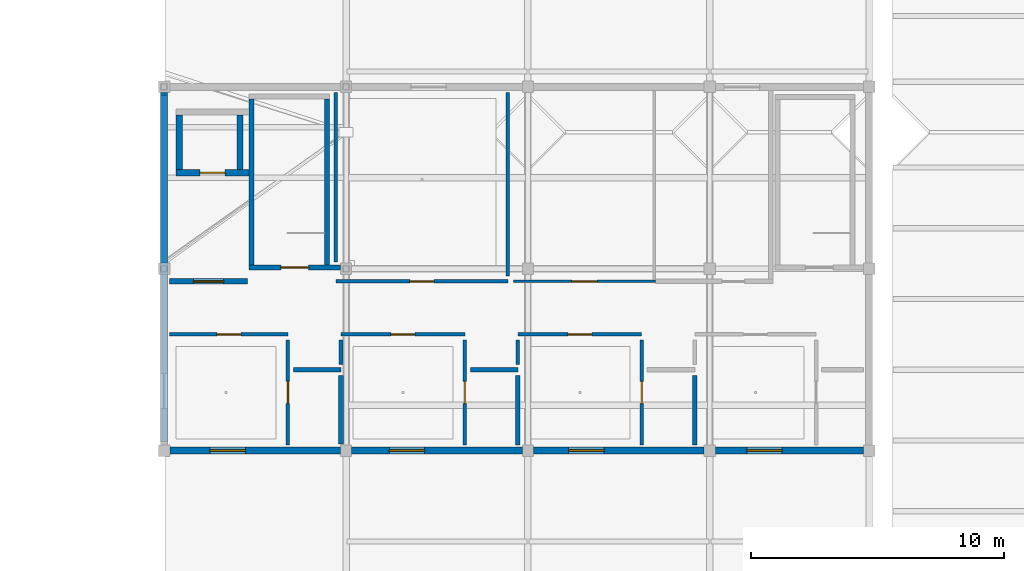
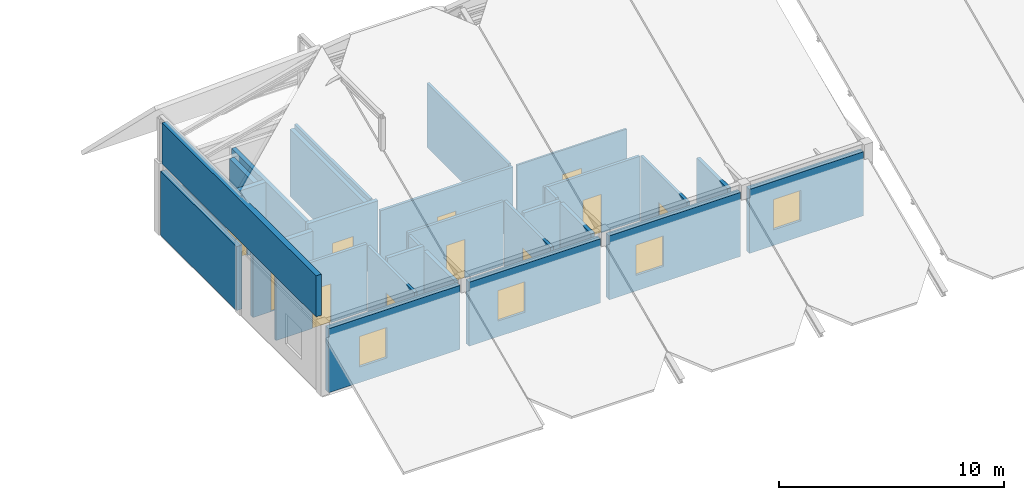
# One storey, part 38 of 54: 30 walls, 11 doors, 4 windows, 15 openings.
"""IFC4 building model written with IfcOpenShell, lengths in metres."""

from ifc_helpers import new_model, si_unit, direction, frame, frame_2d, origin, place, context, subcontext, project, spatial, rectangle, extrude, material, layer, layer_set, type_object, element, fill, save


model = new_model("IFC4")

# Units and contexts
model_context = context("Model", 3, precision=1e-05, world=origin(), true_north=direction((0.0, 1.0)))
body_context = subcontext(model_context, "Body", "Model", "MODEL_VIEW")
ifc_project = project(units=[si_unit("LENGTHUNIT", "METRE"), si_unit("AREAUNIT", "SQUARE_METRE"), si_unit("VOLUMEUNIT", "CUBIC_METRE"), si_unit("PLANEANGLEUNIT", "RADIAN"), si_unit("MASSUNIT", "GRAM", prefix="KILO")], contexts=[model_context])

# Site, building, storey
site_placement = place(None, origin())
site = spatial("IfcSite", under=ifc_project, at=site_placement, CompositionType="ELEMENT")
building_placement = place(site_placement, origin())
building = spatial("IfcBuilding", under=site, at=building_placement, Name="Koriwan Promenade Central Fire Station", CompositionType="ELEMENT")
storey_placement = place(building_placement, frame((0.0, 0.0, 9.60009765625)))
storey = spatial("IfcBuildingStorey", under=building, at=storey_placement, Name="L02", CompositionType="ELEMENT", Elevation=9.60009765625)

# Wall
ifc_material_1 = material(Name="Precast concrete C40/50", Category="concrete")
ifc_layer_1 = layer(ifc_material_1, 0.280029296875, Name="Precast concrete C40/50")
ifc_layer_set_1 = layer_set([ifc_layer_1], Name="Precast concrete C40/50")
wall_type_1 = type_object("IfcWallType", Name="ExtWall_Terracotta_280", PredefinedType="ELEMENTEDWALL", material=ifc_layer_set_1)
wall_1_placement = place(storey_placement, frame((28.800048828125, 64.574951171875, 0.0), z_axis=(0.0, 0.0, 1.0), x_axis=(0.0, -1.0, 0.0)))
element("IfcWall", 1, at=wall_1_placement, inside=storey, type_object=wall_type_1, Name="V4 L02 exterior wall 199", PredefinedType="ELEMENTEDWALL", context=body_context, shape_type="SweptSolid", body=[
    extrude(rectangle(XDim=6.75, YDim=0.280029296875, at=frame_2d((3.375, 0.0))), origin(), (0.0, 0.0, 1.0), 3.472900390625),
])

# Wall, opening, window
wall_2_placement = place(storey_placement, frame((29.02490234375, 50.39990234375, 0.0), z_axis=(0.0, 0.0, 1.0), x_axis=(1.0, 0.0, 0.0)))
wall_2 = element("IfcWall", 2, at=wall_2_placement, inside=storey, type_object=wall_type_1, Name="V4 L02 exterior wall 201", PredefinedType="ELEMENTEDWALL", context=body_context, shape_type="SweptSolid", body=[
    extrude(rectangle(XDim=6.75, YDim=0.280029296875, at=frame_2d((3.375, 0.0))), origin(), (0.0, 0.0, 1.0), 3.474853515625),
])
opening_1_placement = place(wall_2_placement, frame((1.58740234375, 0.0, 0.85009765625)))
opening_1 = element("IfcOpeningElement", 3, at=opening_1_placement, cuts=wall_2, Name="Opening W-07", PredefinedType="OPENING", context=body_context, shape_type="SweptSolid", body=[
    extrude(rectangle(XDim=1.39990234375, YDim=1.64990234375, at=frame_2d((0.699951171875, 0.824951171875))), frame((0.0, 0.15185546875, 0.0), z_axis=(0.0, -1.0, 0.0), x_axis=(1.0, 0.0, 0.0)), (0.0, 0.0, 1.0), 0.303955078125),
])
ifc_material_2 = material(Name="Solar-control low-E laminated double glazing", Category="glass")
window_type = type_object("IfcWindowType", Name="Win_Dorm_1400x1650", PartitioningType="SINGLE_PANEL", PredefinedType="WINDOW", material=ifc_material_2)
window_1_placement = place(opening_1_placement, origin())
window_1 = element("IfcWindow", 4, at=window_1_placement, inside=storey, type_object=window_type, Name="V4 L02 dormitory window 0080", OverallHeight=1.64990234375, OverallWidth=1.39990234375, PartitioningType="SINGLE_PANEL", PredefinedType="WINDOW", context=body_context, shape_type="SweptSolid", body=[
    extrude(rectangle(XDim=1.39990234375, YDim=1.64990234375, at=frame_2d((0.699951171875, 0.824951171875))), frame((0.0, 0.030029296875, 0.0), z_axis=(0.0, -1.0, 0.0), x_axis=(1.0, 0.0, 0.0)), (0.0, 0.0, 1.0), 0.06005859375),
])
fill(opening_1, window_1)

wall_3_placement = place(storey_placement, frame((36.22509765625, 50.39990234375, 0.0), z_axis=(0.0, 0.0, 1.0), x_axis=(1.0, 0.0, 0.0)))
wall_3 = element("IfcWall", 5, at=wall_3_placement, inside=storey, type_object=wall_type_1, Name="V4 L02 exterior wall 202", PredefinedType="ELEMENTEDWALL", context=body_context, shape_type="SweptSolid", body=[
    extrude(rectangle(XDim=6.75, YDim=0.280029296875, at=frame_2d((3.375, 0.0))), origin(), (0.0, 0.0, 1.0), 3.474853515625),
])
opening_2_placement = place(wall_3_placement, frame((1.487548828125, 0.0, 0.85009765625)))
opening_2 = element("IfcOpeningElement", 6, at=opening_2_placement, cuts=wall_3, Name="Opening W-07", PredefinedType="OPENING", context=body_context, shape_type="SweptSolid", body=[
    extrude(rectangle(XDim=1.39990234375, YDim=1.64990234375, at=frame_2d((0.699951171875, 0.824951171875))), frame((0.0, 0.15185546875, 0.0), z_axis=(0.0, -1.0, 0.0), x_axis=(1.0, 0.0, 0.0)), (0.0, 0.0, 1.0), 0.303955078125),
])
window_2_placement = place(opening_2_placement, origin())
window_2 = element("IfcWindow", 7, at=window_2_placement, inside=storey, type_object=window_type, Name="V4 L02 dormitory window 0081", OverallHeight=1.64990234375, OverallWidth=1.39990234375, PartitioningType="SINGLE_PANEL", PredefinedType="WINDOW", context=body_context, shape_type="SweptSolid", body=[
    extrude(rectangle(XDim=1.39990234375, YDim=1.64990234375, at=frame_2d((0.699951171875, 0.824951171875))), frame((0.0, 0.030029296875, 0.0), z_axis=(0.0, -1.0, 0.0), x_axis=(1.0, 0.0, 0.0)), (0.0, 0.0, 1.0), 0.06005859375),
])
fill(opening_2, window_2)

wall_4_placement = place(storey_placement, frame((43.425048828125, 50.39990234375, 0.0), z_axis=(0.0, 0.0, 1.0), x_axis=(1.0, 0.0, 0.0)))
wall_4 = element("IfcWall", 8, at=wall_4_placement, inside=storey, type_object=wall_type_1, Name="V4 L02 exterior wall 203", PredefinedType="ELEMENTEDWALL", context=body_context, shape_type="SweptSolid", body=[
    extrude(rectangle(XDim=6.75, YDim=0.280029296875, at=frame_2d((3.375, 0.0))), origin(), (0.0, 0.0, 1.0), 3.474853515625),
])
opening_3_placement = place(wall_4_placement, frame((1.387451171875, 0.0, 0.85009765625)))
opening_3 = element("IfcOpeningElement", 9, at=opening_3_placement, cuts=wall_4, Name="Opening W-07", PredefinedType="OPENING", context=body_context, shape_type="SweptSolid", body=[
    extrude(rectangle(XDim=1.39990234375, YDim=1.64990234375, at=frame_2d((0.699951171875, 0.824951171875))), frame((0.0, 0.15185546875, 0.0), z_axis=(0.0, -1.0, 0.0), x_axis=(1.0, 0.0, 0.0)), (0.0, 0.0, 1.0), 0.303955078125),
])
window_3_placement = place(opening_3_placement, origin())
window_3 = element("IfcWindow", 10, at=window_3_placement, inside=storey, type_object=window_type, Name="V4 L02 dormitory window 0082", OverallHeight=1.64990234375, OverallWidth=1.39990234375, PartitioningType="SINGLE_PANEL", PredefinedType="WINDOW", context=body_context, shape_type="SweptSolid", body=[
    extrude(rectangle(XDim=1.39990234375, YDim=1.64990234375, at=frame_2d((0.699951171875, 0.824951171875))), frame((0.0, 0.030029296875, 0.0), z_axis=(0.0, -1.0, 0.0), x_axis=(1.0, 0.0, 0.0)), (0.0, 0.0, 1.0), 0.06005859375),
])
fill(opening_3, window_3)

wall_5_placement = place(storey_placement, frame((50.625, 50.39990234375, 0.0), z_axis=(0.0, 0.0, 1.0), x_axis=(1.0, 0.0, 0.0)))
wall_5 = element("IfcWall", 11, at=wall_5_placement, inside=storey, type_object=wall_type_1, Name="V4 L02 exterior wall 204", PredefinedType="ELEMENTEDWALL", context=body_context, shape_type="SweptSolid", body=[
    extrude(rectangle(XDim=5.85009765625, YDim=0.280029296875, at=frame_2d((2.925048828125, 0.0))), origin(), (0.0, 0.0, 1.0), 3.474853515625),
])
opening_4_placement = place(wall_5_placement, frame((1.237548828125, 0.0, 0.85009765625)))
opening_4 = element("IfcOpeningElement", 12, at=opening_4_placement, cuts=wall_5, Name="Opening W-07", PredefinedType="OPENING", context=body_context, shape_type="SweptSolid", body=[
    extrude(rectangle(XDim=1.39990234375, YDim=1.64990234375, at=frame_2d((0.699951171875, 0.824951171875))), frame((0.0, 0.15185546875, 0.0), z_axis=(0.0, -1.0, 0.0), x_axis=(1.0, 0.0, 0.0)), (0.0, 0.0, 1.0), 0.303955078125),
])
window_4_placement = place(opening_4_placement, origin())
window_4 = element("IfcWindow", 13, at=window_4_placement, inside=storey, type_object=window_type, Name="V4 L02 dormitory window 0083", OverallHeight=1.64990234375, OverallWidth=1.39990234375, PartitioningType="SINGLE_PANEL", PredefinedType="WINDOW", context=body_context, shape_type="SweptSolid", body=[
    extrude(rectangle(XDim=1.39990234375, YDim=1.64990234375, at=frame_2d((0.699951171875, 0.824951171875))), frame((0.0, 0.030029296875, 0.0), z_axis=(0.0, -1.0, 0.0), x_axis=(1.0, 0.0, 0.0)), (0.0, 0.0, 1.0), 0.06005859375),
])
fill(opening_4, window_4)

# Wall
wall_6_placement = place(storey_placement, frame((28.800048828125, 50.75, 3.949951171875), z_axis=(0.0, 0.0, 1.0), x_axis=(0.0, 1.0, 0.0)))
element("IfcWall", 14, at=wall_6_placement, inside=storey, type_object=wall_type_1, Name="V4 west chamfered gable terracotta wall", PredefinedType="ELEMENTEDWALL", context=body_context, shape_type="SweptSolid", body=[
    extrude(rectangle(XDim=13.699951171875, YDim=0.280029296875, at=frame_2d((6.85009765625, 0.0))), origin(), (0.0, 0.0, 1.0), 2.229736328125),
])

# Wall, opening, door
ifc_material_3 = material(Name="Gypsum board acoustic stud partition", Category="gypsum")
ifc_layer_2 = layer(ifc_material_3, 0.10009765625, Name="Gypsum board acoustic stud partition")
ifc_layer_set_2 = layer_set([ifc_layer_2], Name="Gypsum board acoustic stud partition")
wall_type_2 = type_object("IfcWallType", Name="IntWall_Drywall_100", PredefinedType="PARTITIONING", material=ifc_layer_set_2)
wall_7_placement = place(storey_placement, frame((42.6201171875, 57.10009765625, 0.0), z_axis=(0.0, 0.0, 1.0), x_axis=(1.0, 0.0, 0.0)))
wall_7 = element("IfcWall", 15, at=wall_7_placement, inside=storey, type_object=wall_type_2, Name="Crew Quiet Study and Training Library partition S", PredefinedType="PARTITIONING", context=body_context, shape_type="SweptSolid", body=[
    extrude(rectangle(XDim=5.6298828125, YDim=0.10009765625, at=frame_2d((2.81494140625, 0.0))), origin(), (0.0, 0.0, 1.0), 3.470947265625),
])
opening_5_placement = place(wall_7_placement, frame((2.31494140625, 0.0, 0.0)))
opening_5 = element("IfcOpeningElement", 16, at=opening_5_placement, cuts=wall_7, Name="Opening D-110", PredefinedType="OPENING", context=body_context, shape_type="SweptSolid", body=[
    extrude(rectangle(XDim=1.0, YDim=2.14990234375, at=frame_2d((0.5, 1.074951171875))), frame((0.0, 0.06201171875, 0.0), z_axis=(0.0, -1.0, 0.0), x_axis=(1.0, 0.0, 0.0)), (0.0, 0.0, 1.0), 0.1240234375),
])
ifc_material_4 = material(Name="Hardwood veneer solid-core timber", Category="wood")
door_type_1 = type_object("IfcDoorType", Name="RoomDoor_Office_1000x2150", OperationType="NOTDEFINED", PredefinedType="DOOR", material=ifc_material_4)
door_1_placement = place(opening_5_placement, origin())
door_1 = element("IfcDoor", 17, at=door_1_placement, inside=storey, type_object=door_type_1, Name="Crew Quiet Study and Training Library Door D-110", OperationType="SINGLE_SWING_LEFT", OverallHeight=2.14990234375, OverallWidth=1.0, PredefinedType="DOOR", context=body_context, shape_type="SweptSolid", body=[
    extrude(rectangle(XDim=1.0, YDim=2.14990234375, at=frame_2d((0.5, 1.074951171875))), frame((0.0, 0.02490234375, 0.0), z_axis=(0.0, -1.0, 0.0), x_axis=(1.0, 0.0, 0.0)), (0.0, 0.0, 1.0), 0.050048828125),
])
fill(opening_5, door_1)

ifc_material_5 = material(Name="Concrete C35/45 compartment wall", Category="concrete")
ifc_layer_3 = layer(ifc_material_5, 0.219970703125, Name="Concrete C35/45 compartment wall")
ifc_layer_set_3 = layer_set([ifc_layer_3], Name="Concrete C35/45 compartment wall")
wall_type_3 = type_object("IfcWallType", Name="IntWall_Plant_220", PredefinedType="STANDARD", material=ifc_layer_set_3)
wall_8_placement = place(storey_placement, frame((29.02001953125, 57.10009765625, 0.0), z_axis=(0.0, 0.0, 1.0), x_axis=(1.0, 0.0, 0.0)))
wall_8 = element("IfcWall", 18, at=wall_8_placement, inside=storey, type_object=wall_type_3, Name="Crew Wing Lift Lobby L02 partition S", PredefinedType="STANDARD", context=body_context, shape_type="SweptSolid", body=[
    extrude(rectangle(XDim=3.080078125, YDim=0.219970703125, at=frame_2d((1.5400390625, 0.0))), origin(), (0.0, 0.0, 1.0), 3.619873046875),
])
opening_6_placement = place(wall_8_placement, frame((0.93994140625, 0.0, 0.0)))
opening_6 = element("IfcOpeningElement", 19, at=opening_6_placement, cuts=wall_8, Name="Opening D-100", PredefinedType="OPENING", context=body_context, shape_type="SweptSolid", body=[
    extrude(rectangle(XDim=1.199951171875, YDim=2.199951171875, at=frame_2d((0.60009765625, 1.10009765625))), frame((0.0, 0.1220703125, 0.0), z_axis=(0.0, -1.0, 0.0), x_axis=(1.0, 0.0, 0.0)), (0.0, 0.0, 1.0), 0.243896484375),
])
ifc_material_6 = material(Name="Painted galvanized fire-door steel", Category="steel")
door_type_2 = type_object("IfcDoorType", Name="FireDoor_Lobby_1200x2200", OperationType="NOTDEFINED", PredefinedType="DOOR", material=ifc_material_6)
door_2_placement = place(opening_6_placement, origin())
door_2 = element("IfcDoor", 20, at=door_2_placement, inside=storey, type_object=door_type_2, Name="Crew Wing Lift Lobby L02 Door D-100", OperationType="SINGLE_SWING_LEFT", OverallHeight=2.199951171875, OverallWidth=1.199951171875, PredefinedType="DOOR", context=body_context, shape_type="SweptSolid", body=[
    extrude(rectangle(XDim=1.199951171875, YDim=2.199951171875, at=frame_2d((0.60009765625, 1.10009765625))), frame((0.0, 0.02490234375, 0.0), z_axis=(0.0, -1.0, 0.0), x_axis=(1.0, 0.0, 0.0)), (0.0, 0.0, 1.0), 0.050048828125),
])
fill(opening_6, door_2)

# Walls
ifc_material_7 = material(Name="Moisture-resistant sanitary chase wall", Category="gypsum")
ifc_layer_4 = layer(ifc_material_7, 0.179931640625, Name="Moisture-resistant sanitary chase wall")
ifc_layer_set_4 = layer_set([ifc_layer_4], Name="Moisture-resistant sanitary chase wall")
wall_type_4 = type_object("IfcWallType", Name="IntWall_Plumbing_180", PredefinedType="PLUMBINGWALL", material=ifc_layer_set_4)
wall_9_placement = place(storey_placement, frame((33.919921875, 53.60009765625, 0.0), z_axis=(0.0, 0.0, 1.0), x_axis=(1.0, 0.0, 0.0)))
element("IfcWall", 21, at=wall_9_placement, inside=storey, type_object=wall_type_4, Name="En-Suite Bathroom A1 partition N", PredefinedType="PLUMBINGWALL", context=body_context, shape_type="SweptSolid", body=[
    extrude(rectangle(XDim=1.880126953125, YDim=0.179931640625, at=frame_2d((0.93994140625, 0.0))), origin(), (0.0, 0.0, 1.0), 3.619873046875),
])
wall_10_placement = place(storey_placement, frame((35.800048828125, 50.6650390625, 0.0), z_axis=(0.0, 0.0, 1.0), x_axis=(0.0, 1.0, 0.0)))
element("IfcWall", 22, at=wall_10_placement, inside=storey, type_object=wall_type_4, Name="En-Suite Bathroom A1 partition E", PredefinedType="PLUMBINGWALL", context=body_context, shape_type="SweptSolid", body=[
    extrude(rectangle(XDim=2.71484375, YDim=0.179931640625, at=frame_2d((1.357421875, 0.0))), origin(), (0.0, 0.0, 1.0), 3.470947265625),
])
wall_11_placement = place(storey_placement, frame((40.919921875, 53.60009765625, 0.0), z_axis=(0.0, 0.0, 1.0), x_axis=(1.0, 0.0, 0.0)))
element("IfcWall", 23, at=wall_11_placement, inside=storey, type_object=wall_type_4, Name="En-Suite Bathroom A2 partition N", PredefinedType="PLUMBINGWALL", context=body_context, shape_type="SweptSolid", body=[
    extrude(rectangle(XDim=1.880126953125, YDim=0.179931640625, at=frame_2d((0.93994140625, 0.0))), origin(), (0.0, 0.0, 1.0), 3.619873046875),
])
for number, where, z_axis, x_axis, name in (
    (24, (42.800048828125, 50.6201171875, 0.0), (0.0, 0.0, 1.0), (0.0, 1.0, 0.0), "En-Suite Bathroom A2 partition E"),
    (25, (49.800048828125, 50.6201171875, 0.0), (0.0, 0.0, 1.0), (0.0, 1.0, 0.0), "En-Suite Bathroom A3 partition E"),
):
    element("IfcWall", number, at=place(storey_placement, frame(where, z_axis=z_axis, x_axis=x_axis)), inside=storey, type_object=wall_type_4, Name=name, PredefinedType="PLUMBINGWALL", context=body_context, shape_type="SweptSolid", body=[
        extrude(rectangle(XDim=2.759765625, YDim=0.179931640625, at=frame_2d((1.3798828125, 0.0))), origin(), (0.0, 0.0, 1.0), 3.619873046875),
    ])

# Wall, opening, door
ifc_material_8 = material(Name="Fire-rated double gypsum stud partition", Category="gypsum")
ifc_layer_5 = layer(ifc_material_8, 0.139892578125, Name="Fire-rated double gypsum stud partition")
ifc_layer_set_5 = layer_set([ifc_layer_5], Name="Fire-rated double gypsum stud partition")
wall_type_5 = type_object("IfcWallType", Name="IntWall_Rated_140", PredefinedType="PARTITIONING", material=ifc_layer_set_5)
wall_12_placement = place(storey_placement, frame((29.02001953125, 55.0, 0.0), z_axis=(0.0, 0.0, 1.0), x_axis=(1.0, 0.0, 0.0)))
wall_12 = element("IfcWall", 26, at=wall_12_placement, inside=storey, type_object=wall_type_5, Name="Crew Dormitory Suite A1 partition N", PredefinedType="PARTITIONING", context=body_context, shape_type="SweptSolid", body=[
    extrude(rectangle(XDim=4.679931640625, YDim=0.139892578125, at=frame_2d((2.33984375, 0.0))), origin(), (0.0, 0.0, 1.0), 3.619873046875),
])
opening_7_placement = place(wall_12_placement, frame((1.864990234375, 0.0, 0.0)))
opening_7 = element("IfcOpeningElement", 27, at=opening_7_placement, cuts=wall_12, Name="Opening D-101", PredefinedType="OPENING", context=body_context, shape_type="SweptSolid", body=[
    extrude(rectangle(XDim=0.949951171875, YDim=2.10009765625, at=frame_2d((0.47509765625, 1.050048828125))), frame((0.0, 0.08203125, 0.0), z_axis=(0.0, -1.0, 0.0), x_axis=(1.0, 0.0, 0.0)), (0.0, 0.0, 1.0), 0.163818359375),
])
door_type_3 = type_object("IfcDoorType", Name="RoomDoor_Dorm_950x2100", OperationType="NOTDEFINED", PredefinedType="DOOR", material=ifc_material_4)
door_3_placement = place(opening_7_placement, origin())
door_3 = element("IfcDoor", 28, at=door_3_placement, inside=storey, type_object=door_type_3, Name="Crew Dormitory Suite A1 Door D-101", OperationType="SINGLE_SWING_RIGHT", OverallHeight=2.10009765625, OverallWidth=0.949951171875, PredefinedType="DOOR", context=body_context, shape_type="SweptSolid", body=[
    extrude(rectangle(XDim=0.949951171875, YDim=2.10009765625, at=frame_2d((0.47509765625, 1.050048828125))), frame((0.0, 0.02490234375, 0.0), z_axis=(0.0, -1.0, 0.0), x_axis=(1.0, 0.0, 0.0)), (0.0, 0.0, 1.0), 0.050048828125),
])
fill(opening_7, door_3)

wall_13_placement = place(storey_placement, frame((33.699951171875, 50.6201171875, 0.0), z_axis=(0.0, 0.0, 1.0), x_axis=(0.0, 1.0, 0.0)))
wall_13 = element("IfcWall", 29, at=wall_13_placement, inside=storey, type_object=wall_type_5, Name="Crew Dormitory Suite A1 partition E", PredefinedType="PARTITIONING", context=body_context, shape_type="SweptSolid", body=[
    extrude(rectangle(XDim=4.159912109375, YDim=0.139892578125, at=frame_2d((2.080078125, 0.0))), origin(), (0.0, 0.0, 1.0), 3.619873046875),
])
opening_8_placement = place(wall_13_placement, frame((1.639892578125, 0.0, 0.0)))
opening_8 = element("IfcOpeningElement", 30, at=opening_8_placement, cuts=wall_13, Name="Opening D-102", PredefinedType="OPENING", context=body_context, shape_type="SweptSolid", body=[
    extrude(rectangle(XDim=0.8798828125, YDim=2.080078125, at=frame_2d((0.43994140625, 1.0400390625))), frame((0.0, 0.08203125, 0.0), z_axis=(0.0, -1.0, 0.0), x_axis=(1.0, 0.0, 0.0)), (0.0, 0.0, 1.0), 0.163818359375),
])
ifc_material_9 = material(Name="High-pressure laminate moisture-resistant core", Category="wood")
door_type_4 = type_object("IfcDoorType", Name="RoomDoor_Ensuite_880x2080", OperationType="NOTDEFINED", PredefinedType="DOOR", material=ifc_material_9)
door_4_placement = place(opening_8_placement, origin())
door_4 = element("IfcDoor", 31, at=door_4_placement, inside=storey, type_object=door_type_4, Name="En-Suite Bathroom A1 Door D-102", OperationType="SINGLE_SWING_LEFT", OverallHeight=2.080078125, OverallWidth=0.8798828125, PredefinedType="DOOR", context=body_context, shape_type="SweptSolid", body=[
    extrude(rectangle(XDim=0.8798828125, YDim=2.080078125, at=frame_2d((0.43994140625, 1.0400390625))), frame((0.0, 0.02490234375, 0.0), z_axis=(0.0, -1.0, 0.0), x_axis=(1.0, 0.0, 0.0)), (0.0, 0.0, 1.0), 0.050048828125),
])
fill(opening_8, door_4)

wall_14_placement = place(storey_placement, frame((35.800048828125, 55.0, 0.0), z_axis=(0.0, 0.0, 1.0), x_axis=(1.0, 0.0, 0.0)))
wall_14 = element("IfcWall", 32, at=wall_14_placement, inside=storey, type_object=wall_type_5, Name="Crew Dormitory Suite A2 partition N", PredefinedType="PARTITIONING", context=body_context, shape_type="SweptSolid", body=[
    extrude(rectangle(XDim=4.89990234375, YDim=0.139892578125, at=frame_2d((2.449951171875, 0.0))), origin(), (0.0, 0.0, 1.0), 3.470947265625),
])
opening_9_placement = place(wall_14_placement, frame((1.97509765625, 0.0, 0.0)))
opening_9 = element("IfcOpeningElement", 33, at=opening_9_placement, cuts=wall_14, Name="Opening D-103", PredefinedType="OPENING", context=body_context, shape_type="SweptSolid", body=[
    extrude(rectangle(XDim=0.949951171875, YDim=2.10009765625, at=frame_2d((0.47509765625, 1.050048828125))), frame((0.0, 0.08203125, 0.0), z_axis=(0.0, -1.0, 0.0), x_axis=(1.0, 0.0, 0.0)), (0.0, 0.0, 1.0), 0.163818359375),
])
door_5_placement = place(opening_9_placement, origin())
door_5 = element("IfcDoor", 34, at=door_5_placement, inside=storey, type_object=door_type_3, Name="Crew Dormitory Suite A2 Door D-103", OperationType="SINGLE_SWING_RIGHT", OverallHeight=2.10009765625, OverallWidth=0.949951171875, PredefinedType="DOOR", context=body_context, shape_type="SweptSolid", body=[
    extrude(rectangle(XDim=0.949951171875, YDim=2.10009765625, at=frame_2d((0.47509765625, 1.050048828125))), frame((0.0, 0.02490234375, 0.0), z_axis=(0.0, -1.0, 0.0), x_axis=(1.0, 0.0, 0.0)), (0.0, 0.0, 1.0), 0.050048828125),
])
fill(opening_9, door_5)

wall_15_placement = place(storey_placement, frame((40.699951171875, 50.6201171875, 0.0), z_axis=(0.0, 0.0, 1.0), x_axis=(0.0, 1.0, 0.0)))
wall_15 = element("IfcWall", 35, at=wall_15_placement, inside=storey, type_object=wall_type_5, Name="Crew Dormitory Suite A2 partition E", PredefinedType="PARTITIONING", context=body_context, shape_type="SweptSolid", body=[
    extrude(rectangle(XDim=4.159912109375, YDim=0.139892578125, at=frame_2d((2.080078125, 0.0))), origin(), (0.0, 0.0, 1.0), 3.619873046875),
])
opening_10_placement = place(wall_15_placement, frame((1.639892578125, 0.0, 0.0)))
opening_10 = element("IfcOpeningElement", 36, at=opening_10_placement, cuts=wall_15, Name="Opening D-104", PredefinedType="OPENING", context=body_context, shape_type="SweptSolid", body=[
    extrude(rectangle(XDim=0.8798828125, YDim=2.080078125, at=frame_2d((0.43994140625, 1.0400390625))), frame((0.0, 0.08203125, 0.0), z_axis=(0.0, -1.0, 0.0), x_axis=(1.0, 0.0, 0.0)), (0.0, 0.0, 1.0), 0.163818359375),
])
door_6_placement = place(opening_10_placement, origin())
door_6 = element("IfcDoor", 37, at=door_6_placement, inside=storey, type_object=door_type_4, Name="En-Suite Bathroom A2 Door D-104", OperationType="SINGLE_SWING_LEFT", OverallHeight=2.080078125, OverallWidth=0.8798828125, PredefinedType="DOOR", context=body_context, shape_type="SweptSolid", body=[
    extrude(rectangle(XDim=0.8798828125, YDim=2.080078125, at=frame_2d((0.43994140625, 1.0400390625))), frame((0.0, 0.02490234375, 0.0), z_axis=(0.0, -1.0, 0.0), x_axis=(1.0, 0.0, 0.0)), (0.0, 0.0, 1.0), 0.050048828125),
])
fill(opening_10, door_6)

# Wall
wall_16_placement = place(storey_placement, frame((35.800048828125, 53.820068359375, 0.0), z_axis=(0.0, 0.0, 1.0), x_axis=(0.0, 1.0, 0.0)))
element("IfcWall", 38, at=wall_16_placement, inside=storey, type_object=wall_type_5, Name="Crew Dormitory Suite A2 partition W", PredefinedType="PARTITIONING", context=body_context, shape_type="SweptSolid", body=[
    extrude(rectangle(XDim=0.9599609375, YDim=0.139892578125, at=frame_2d((0.47998046875, 0.0))), origin(), (0.0, 0.0, 1.0), 3.470947265625),
])

# Wall, opening, door
wall_17_placement = place(storey_placement, frame((42.800048828125, 55.0, 0.0), z_axis=(0.0, 0.0, 1.0), x_axis=(1.0, 0.0, 0.0)))
wall_17 = element("IfcWall", 39, at=wall_17_placement, inside=storey, type_object=wall_type_5, Name="Crew Dormitory Suite A3 partition N", PredefinedType="PARTITIONING", context=body_context, shape_type="SweptSolid", body=[
    extrude(rectangle(XDim=4.89990234375, YDim=0.139892578125, at=frame_2d((2.449951171875, 0.0))), origin(), (0.0, 0.0, 1.0), 3.470947265625),
])
opening_11_placement = place(wall_17_placement, frame((1.97509765625, 0.0, 0.0)))
opening_11 = element("IfcOpeningElement", 40, at=opening_11_placement, cuts=wall_17, Name="Opening D-105", PredefinedType="OPENING", context=body_context, shape_type="SweptSolid", body=[
    extrude(rectangle(XDim=0.949951171875, YDim=2.10009765625, at=frame_2d((0.47509765625, 1.050048828125))), frame((0.0, 0.08203125, 0.0), z_axis=(0.0, -1.0, 0.0), x_axis=(1.0, 0.0, 0.0)), (0.0, 0.0, 1.0), 0.163818359375),
])
door_7_placement = place(opening_11_placement, origin())
door_7 = element("IfcDoor", 41, at=door_7_placement, inside=storey, type_object=door_type_3, Name="Crew Dormitory Suite A3 Door D-105", OperationType="SINGLE_SWING_RIGHT", OverallHeight=2.10009765625, OverallWidth=0.949951171875, PredefinedType="DOOR", context=body_context, shape_type="SweptSolid", body=[
    extrude(rectangle(XDim=0.949951171875, YDim=2.10009765625, at=frame_2d((0.47509765625, 1.050048828125))), frame((0.0, 0.02490234375, 0.0), z_axis=(0.0, -1.0, 0.0), x_axis=(1.0, 0.0, 0.0)), (0.0, 0.0, 1.0), 0.050048828125),
])
fill(opening_11, door_7)

wall_18_placement = place(storey_placement, frame((47.699951171875, 50.6201171875, 0.0), z_axis=(0.0, 0.0, 1.0), x_axis=(0.0, 1.0, 0.0)))
wall_18 = element("IfcWall", 42, at=wall_18_placement, inside=storey, type_object=wall_type_5, Name="Crew Dormitory Suite A3 partition E", PredefinedType="PARTITIONING", context=body_context, shape_type="SweptSolid", body=[
    extrude(rectangle(XDim=4.159912109375, YDim=0.139892578125, at=frame_2d((2.080078125, 0.0))), origin(), (0.0, 0.0, 1.0), 3.619873046875),
])
opening_12_placement = place(wall_18_placement, frame((1.639892578125, 0.0, 0.0)))
opening_12 = element("IfcOpeningElement", 43, at=opening_12_placement, cuts=wall_18, Name="Opening D-106", PredefinedType="OPENING", context=body_context, shape_type="SweptSolid", body=[
    extrude(rectangle(XDim=0.8798828125, YDim=2.080078125, at=frame_2d((0.43994140625, 1.0400390625))), frame((0.0, 0.08203125, 0.0), z_axis=(0.0, -1.0, 0.0), x_axis=(1.0, 0.0, 0.0)), (0.0, 0.0, 1.0), 0.163818359375),
])
door_8_placement = place(opening_12_placement, origin())
door_8 = element("IfcDoor", 44, at=door_8_placement, inside=storey, type_object=door_type_4, Name="En-Suite Bathroom A3 Door D-106", OperationType="SINGLE_SWING_LEFT", OverallHeight=2.080078125, OverallWidth=0.8798828125, PredefinedType="DOOR", context=body_context, shape_type="SweptSolid", body=[
    extrude(rectangle(XDim=0.8798828125, YDim=2.080078125, at=frame_2d((0.43994140625, 1.0400390625))), frame((0.0, 0.02490234375, 0.0), z_axis=(0.0, -1.0, 0.0), x_axis=(1.0, 0.0, 0.0)), (0.0, 0.0, 1.0), 0.050048828125),
])
fill(opening_12, door_8)

# Wall
wall_19_placement = place(storey_placement, frame((42.800048828125, 53.820068359375, 0.0), z_axis=(0.0, 0.0, 1.0), x_axis=(0.0, 1.0, 0.0)))
element("IfcWall", 45, at=wall_19_placement, inside=storey, type_object=wall_type_5, Name="Crew Dormitory Suite A3 partition W", PredefinedType="PARTITIONING", context=body_context, shape_type="SweptSolid", body=[
    extrude(rectangle(XDim=0.9599609375, YDim=0.139892578125, at=frame_2d((0.47998046875, 0.0))), origin(), (0.0, 0.0, 1.0), 3.619873046875),
])

# Wall, opening, door
wall_20_placement = place(storey_placement, frame((35.60009765625, 57.10009765625, 0.0), z_axis=(0.0, 0.0, 1.0), x_axis=(1.0, 0.0, 0.0)))
wall_20 = element("IfcWall", 46, at=wall_20_placement, inside=storey, type_object=wall_type_5, Name="On-Call Watch Commander Duty Room partition S", PredefinedType="PARTITIONING", context=body_context, shape_type="SweptSolid", body=[
    extrude(rectangle(XDim=6.7998046875, YDim=0.139892578125, at=frame_2d((3.39990234375, 0.0))), origin(), (0.0, 0.0, 1.0), 3.470947265625),
])
opening_13_placement = place(wall_20_placement, frame((2.925048828125, 0.0, 0.0)))
opening_13 = element("IfcOpeningElement", 47, at=opening_13_placement, cuts=wall_20, Name="Opening D-109", PredefinedType="OPENING", context=body_context, shape_type="SweptSolid", body=[
    extrude(rectangle(XDim=0.949951171875, YDim=2.10009765625, at=frame_2d((0.47509765625, 1.050048828125))), frame((0.0, 0.08203125, 0.0), z_axis=(0.0, -1.0, 0.0), x_axis=(1.0, 0.0, 0.0)), (0.0, 0.0, 1.0), 0.163818359375),
])
door_9_placement = place(opening_13_placement, origin())
door_9 = element("IfcDoor", 48, at=door_9_placement, inside=storey, type_object=door_type_3, Name="On-Call Watch Commander Duty Room Door D-109", OperationType="SINGLE_SWING_RIGHT", OverallHeight=2.10009765625, OverallWidth=0.949951171875, PredefinedType="DOOR", context=body_context, shape_type="SweptSolid", body=[
    extrude(rectangle(XDim=0.949951171875, YDim=2.10009765625, at=frame_2d((0.47509765625, 1.050048828125))), frame((0.0, 0.02490234375, 0.0), z_axis=(0.0, -1.0, 0.0), x_axis=(1.0, 0.0, 0.0)), (0.0, 0.0, 1.0), 0.050048828125),
])
fill(opening_13, door_9)

# Walls
wall_21_placement = place(storey_placement, frame((42.39990234375, 57.320068359375, 0.0), z_axis=(0.0, 0.0, 1.0), x_axis=(0.0, 1.0, 0.0)))
element("IfcWall", 49, at=wall_21_placement, inside=storey, type_object=wall_type_5, Name="On-Call Watch Commander Duty Room partition E", PredefinedType="PARTITIONING", context=body_context, shape_type="SweptSolid", body=[
    extrude(rectangle(XDim=7.260009765625, YDim=0.139892578125, at=frame_2d((3.6298828125, 0.0))), origin(), (0.0, 0.0, 1.0), 3.472900390625),
])
wall_22_placement = place(storey_placement, frame((35.60009765625, 57.8701171875, 0.0), z_axis=(0.0, 0.0, 1.0), x_axis=(0.0, 1.0, 0.0)))
element("IfcWall", 50, at=wall_22_placement, inside=storey, type_object=wall_type_5, Name="On-Call Watch Commander Duty Room partition W", PredefinedType="PARTITIONING", context=body_context, shape_type="SweptSolid", body=[
    extrude(rectangle(XDim=6.7099609375, YDim=0.139892578125, at=frame_2d((3.35498046875, 0.0))), origin(), (0.0, 0.0, 1.0), 3.619873046875),
])

# Wall, opening, door
ifc_material_10 = material(Name="Concrete C40/50", Category="concrete")
ifc_layer_6 = layer(ifc_material_10, 0.199951171875, Name="Concrete C40/50")
ifc_layer_set_6 = layer_set([ifc_layer_6], Name="Concrete C40/50")
wall_type_6 = type_object("IfcWallType", Name="ShearWall_200", PredefinedType="SHEAR", material=ifc_layer_set_6)
wall_23_placement = place(storey_placement, frame((32.159912109375, 57.64990234375, 0.0), z_axis=(0.0, 0.0, 1.0), x_axis=(1.0, 0.0, 0.0)))
wall_23 = element("IfcWall", 51, at=wall_23_placement, inside=storey, type_object=wall_type_6, Name="ST18 L02 structural stair wall S", PredefinedType="SHEAR", context=body_context, shape_type="SweptSolid", body=[
    extrude(rectangle(XDim=3.614990234375, YDim=0.199951171875, at=frame_2d((1.8076171875, 0.0))), origin(), (0.0, 0.0, 1.0), 3.64990234375),
])
opening_14_placement = place(wall_23_placement, frame((1.257568359375, 0.0, 0.0)))
opening_14 = element("IfcOpeningElement", 52, at=opening_14_placement, cuts=wall_23, Name="Opening SD-028", PredefinedType="OPENING", context=body_context, shape_type="SweptSolid", body=[
    extrude(rectangle(XDim=1.10009765625, YDim=2.14990234375, at=frame_2d((0.550048828125, 1.074951171875))), frame((0.0, 0.11181640625, 0.0), z_axis=(0.0, -1.0, 0.0), x_axis=(1.0, 0.0, 0.0)), (0.0, 0.0, 1.0), 0.223876953125),
])
door_type_5 = type_object("IfcDoorType", Name="FireDoor_Stair_1100x2150", OperationType="NOTDEFINED", PredefinedType="DOOR", material=ifc_material_6)
door_10_placement = place(opening_14_placement, origin())
door_10 = element("IfcDoor", 53, at=door_10_placement, inside=storey, type_object=door_type_5, Name="Protected Stair ST18 Fire Door SD-028", OperationType="SINGLE_SWING_LEFT", OverallHeight=2.14990234375, OverallWidth=1.10009765625, PredefinedType="DOOR", context=body_context, shape_type="SweptSolid", body=[
    extrude(rectangle(XDim=1.10009765625, YDim=2.14990234375, at=frame_2d((0.550048828125, 1.074951171875))), frame((0.0, 0.02490234375, 0.0), z_axis=(0.0, -1.0, 0.0), x_axis=(1.0, 0.0, 0.0)), (0.0, 0.0, 1.0), 0.050048828125),
])
fill(opening_14, door_10)

# Walls
for number, where, z_axis, x_axis, name in (
    (54, (32.260009765625, 57.75, 0.0), (0.0, 0.0, 1.0), (0.0, 1.0, 0.0), "ST18 L02 structural stair wall W"),
    (55, (35.25, 57.75, 0.0), (0.0, 0.0, 1.0), (0.0, 1.0, 0.0), "ST18 L02 structural stair wall E"),
):
    element("IfcWall", number, at=place(storey_placement, frame(where, z_axis=z_axis, x_axis=x_axis)), inside=storey, type_object=wall_type_6, Name=name, PredefinedType="SHEAR", context=body_context, shape_type="SweptSolid", body=[
        extrude(rectangle(XDim=6.56005859375, YDim=0.199951171875, at=frame_2d((3.280029296875, 0.0))), origin(), (0.0, 0.0, 1.0), 3.64990234375),
    ])

# Wall, opening, door
ifc_layer_7 = layer(ifc_material_10, 0.25, Name="Concrete C40/50")
ifc_layer_set_7 = layer_set([ifc_layer_7], Name="Concrete C40/50")
wall_type_7 = type_object("IfcWallType", Name="ShearWall_250", PredefinedType="SHEAR", material=ifc_layer_set_7)
wall_24_placement = place(storey_placement, frame((29.27490234375, 61.39990234375, 0.0), z_axis=(0.0, 0.0, 1.0), x_axis=(1.0, 0.0, 0.0)))
wall_24 = element("IfcWall", 56, at=wall_24_placement, inside=storey, type_object=wall_type_7, Name="LP02 shaft wall S (L02)", PredefinedType="SHEAR", context=body_context, shape_type="SweptSolid", body=[
    extrude(rectangle(XDim=2.885009765625, YDim=0.25, at=frame_2d((1.4423828125, 0.0))), origin(), (0.0, 0.0, 1.0), 3.64990234375),
])
opening_15_placement = place(wall_24_placement, frame((0.9423828125, 0.0, 0.0)))
opening_15 = element("IfcOpeningElement", 57, at=opening_15_placement, cuts=wall_24, Name="Opening LD-LP02-L02", PredefinedType="OPENING", context=body_context, shape_type="SweptSolid", body=[
    extrude(rectangle(XDim=1.0, YDim=2.10009765625, at=frame_2d((0.5, 1.050048828125))), frame((0.0, 0.136962890625, 0.0), z_axis=(0.0, -1.0, 0.0), x_axis=(1.0, 0.0, 0.0)), (0.0, 0.0, 1.0), 0.27392578125),
])
ifc_material_11 = material(Name="Stainless steel 316", Category="steel")
door_type_6 = type_object("IfcDoorType", Name="LiftDoor_Pass_1000x2100", OperationType="SLIDING_TO_RIGHT", PredefinedType="DOOR", material=ifc_material_11)
door_11_placement = place(opening_15_placement, origin())
door_11 = element("IfcDoor", 58, at=door_11_placement, inside=storey, type_object=door_type_6, Name="Lift LP02 Sliding Landing Door LD-LP02-L02", OperationType="SLIDING_TO_RIGHT", OverallHeight=2.10009765625, OverallWidth=1.0, PredefinedType="DOOR", context=body_context, shape_type="SweptSolid", body=[
    extrude(rectangle(XDim=1.0, YDim=2.10009765625, at=frame_2d((0.5, 1.050048828125))), frame((0.0, 0.02490234375, 0.0), z_axis=(0.0, -1.0, 0.0), x_axis=(1.0, 0.0, 0.0)), (0.0, 0.0, 1.0), 0.050048828125),
])
fill(opening_15, door_11)

# Walls
for number, where, z_axis, x_axis, name in (
    (59, (29.39990234375, 61.52490234375, 0.0), (0.0, 0.0, 1.0), (0.0, 1.0, 0.0), "LP02 shaft wall W (L02)"),
    (60, (31.800048828125, 61.52490234375, 0.0), (0.0, 0.0, 1.0), (0.0, 1.0, 0.0), "LP02 shaft wall E (L02)"),
):
    element("IfcWall", number, at=place(storey_placement, frame(where, z_axis=z_axis, x_axis=x_axis)), inside=storey, type_object=wall_type_7, Name=name, PredefinedType="SHEAR", context=body_context, shape_type="SweptSolid", body=[
        extrude(rectangle(XDim=2.150146484375, YDim=0.25, at=frame_2d((1.0751953125, 0.0))), origin(), (0.0, 0.0, 1.0), 3.64990234375),
    ])

save(model, "model.ifc")
